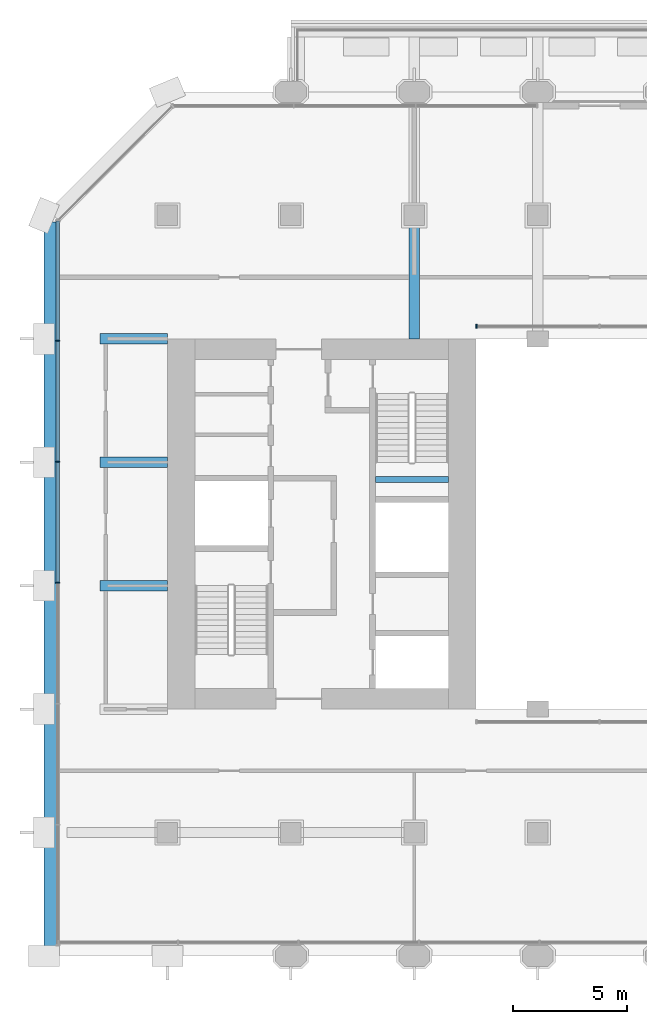
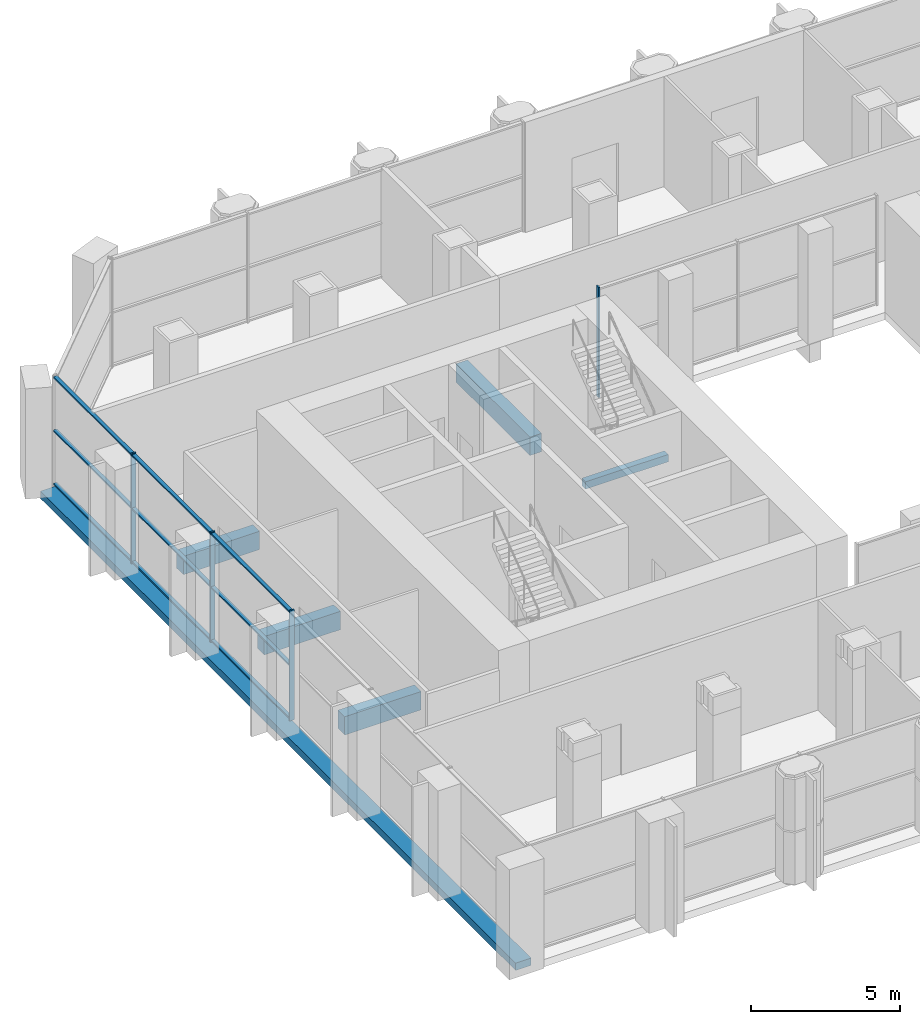
# One storey, part 4 of 15: 13 members, 6 beams, 2 elements without a shape of their own.
"""IFC4 building model written with IfcOpenShell, lengths in metres."""

from ifc_helpers import new_model, si_unit, direction, frame, origin, origin_2d, place, context, subcontext, project, spatial, rectangle, extrude, material, material_profile, profile_set, type_object, element, aggregate, save


model = new_model("IFC4")

# Units and contexts
model_context = context("Model", 3, precision=1e-05, world=origin(), true_north=direction((0.0, 1.0)))
body_context = subcontext(model_context, "Body", "Model", "MODEL_VIEW")
ifc_project = project(units=[si_unit("LENGTHUNIT", "METRE"), si_unit("AREAUNIT", "SQUARE_METRE"), si_unit("VOLUMEUNIT", "CUBIC_METRE"), si_unit("PLANEANGLEUNIT", "RADIAN"), si_unit("MASSUNIT", "GRAM", prefix="KILO")], contexts=[model_context])

# Site, building, storey
site_placement = place(None, origin())
site = spatial("IfcSite", under=ifc_project, at=site_placement, CompositionType="ELEMENT")
building_placement = place(site_placement, origin())
building = spatial("IfcBuilding", under=site, at=building_placement, Name="Tabaq Tower and Sports Hall", CompositionType="ELEMENT")
storey_placement = place(building_placement, frame((0.0, 0.0, 138.39990234375)))
storey = spatial("IfcBuildingStorey", under=building, at=storey_placement, Name="L32", CompositionType="ELEMENT", Elevation=138.39990234375)

# Curtain wall, member
ifc_material_1 = material(Name="Aluminium alloy 6063-T6 framed glazing", Category="aluminium")
curtain_wall_type_1 = type_object("IfcCurtainWallType", Name="CW1 curtain wall", PredefinedType="USERDEFINED", material=ifc_material_1)
curtain_wall_1_placement = place(storey_placement, origin())
curtain_wall_1 = element("IfcCurtainWall", 1, at=curtain_wall_1_placement, inside=storey, type_object=curtain_wall_type_1, Name="Atrium glazing L32 N", ObjectType="ATRIUM ENCLOSURE", PredefinedType="USERDEFINED")
ifc_material_2 = material(Name="Aluminium alloy 6063-T6", Category="aluminium")
ifc_material_profile_1 = material_profile(ifc_material_2, rectangle(XDim=0.159912109375, YDim=0.06005859375, at=origin_2d()), Name="MULLION 160x60")
ifc_profile_set_1 = profile_set([ifc_material_profile_1], Name="Aluminium alloy 6063-T6")
member_type_1 = type_object("IfcMemberType", Name="CW1 mullion 160x60", PredefinedType="MULLION", material=ifc_profile_set_1)
member_1_placement = place(storey_placement, frame((18.929931640625, 32.949951171875, 0.0), z_axis=(0.0, 0.0, 1.0), x_axis=(0.0, 1.0, 0.0)))
member_1 = element("IfcMember", 2, at=member_1_placement, type_object=member_type_1, Name="CW1 mullion 1", PredefinedType="MULLION", context=body_context, shape_type="SweptSolid", body=[
    extrude(rectangle(XDim=0.159912109375, YDim=0.06005859375, at=origin_2d()), origin(), (0.0, 0.0, 1.0), 4.5),
])
aggregate(curtain_wall_1, [member_1])

# Curtain wall, members
ifc_material_3 = material(Name="Aluminium alloy 6063-T6 framed glazing", Category="aluminium")
curtain_wall_type_2 = type_object("IfcCurtainWallType", Name="CW3 curtain wall", PredefinedType="USERDEFINED", material=ifc_material_3)
curtain_wall_2_placement = place(storey_placement, origin())
curtain_wall_2 = element("IfcCurtainWall", 3, at=curtain_wall_2_placement, inside=storey, type_object=curtain_wall_type_2, Name="Garden Floor Wall L32 W", ObjectType="GARDEN FLOOR WALL", PredefinedType="USERDEFINED")
ifc_material_4 = material(Name="Aluminium alloy 6063-T6", Category="aluminium")
ifc_material_profile_2 = material_profile(ifc_material_4, rectangle(XDim=0.179931640625, YDim=0.06005859375, at=origin_2d()), Name="MULLION 180x60")
ifc_profile_set_2 = profile_set([ifc_material_profile_2], Name="Aluminium alloy 6063-T6")
member_type_2 = type_object("IfcMemberType", Name="CW3 mullion 180x60", PredefinedType="MULLION", material=ifc_profile_set_2)
member_2_placement = place(storey_placement, frame((0.60009765625, 32.319580078125, 0.0), z_axis=(0.0, 0.0, 1.0), x_axis=(1.0, 0.0, 0.0)))
member_2 = element("IfcMember", 4, at=member_2_placement, type_object=member_type_2, Name="CW3 mullion 2", PredefinedType="MULLION", context=body_context, shape_type="SweptSolid", body=[
    extrude(rectangle(XDim=0.179931640625, YDim=0.06005859375, at=origin_2d()), origin(), (0.0, 0.0, 1.0), 4.5),
])
member_3_placement = place(storey_placement, frame((0.60009765625, 27.025634765625, 0.0), z_axis=(0.0, 0.0, 1.0), x_axis=(1.0, 0.0, 0.0)))
member_3 = element("IfcMember", 5, at=member_3_placement, type_object=member_type_2, Name="CW3 mullion 3", PredefinedType="MULLION", context=body_context, shape_type="SweptSolid", body=[
    extrude(rectangle(XDim=0.179931640625, YDim=0.06005859375, at=origin_2d()), origin(), (0.0, 0.0, 1.0), 4.5),
])
member_4_placement = place(storey_placement, frame((0.60009765625, 21.731689453125, 0.0), z_axis=(0.0, 0.0, 1.0), x_axis=(1.0, 0.0, 0.0)))
member_4 = element("IfcMember", 6, at=member_4_placement, type_object=member_type_2, Name="CW3 mullion 4", PredefinedType="MULLION", context=body_context, shape_type="SweptSolid", body=[
    extrude(rectangle(XDim=0.179931640625, YDim=0.06005859375, at=origin_2d()), origin(), (0.0, 0.0, 1.0), 4.5),
])
ifc_material_5 = material(Name="Aluminium alloy 6063-T6", Category="aluminium")
ifc_material_profile_3 = material_profile(ifc_material_5, rectangle(XDim=0.139892578125, YDim=0.06005859375, at=origin_2d()), Name="TRANSOM 140x60")
ifc_profile_set_3 = profile_set([ifc_material_profile_3], Name="Aluminium alloy 6063-T6")
member_type_3 = type_object("IfcMemberType", Name="CW3 transom 140x60", PredefinedType="USERDEFINED", material=ifc_profile_set_3)
member_5_placement = place(storey_placement, frame((0.60009765625, 37.5537109375, 0.070068359375), z_axis=(0.0, -1.0, 0.0), x_axis=(1.0, 0.0, 0.0)))
member_5 = element("IfcMember", 7, at=member_5_placement, type_object=member_type_3, Name="CW3 transom 1.1", ObjectType="TRANSOM", PredefinedType="USERDEFINED", context=body_context, shape_type="SweptSolid", body=[
    extrude(rectangle(XDim=0.139892578125, YDim=0.06005859375, at=origin_2d()), origin(), (0.0, 0.0, 1.0), 5.2041015625),
])
member_6_placement = place(storey_placement, frame((0.60009765625, 37.5537109375, 2.25), z_axis=(0.0, -1.0, 0.0), x_axis=(1.0, 0.0, 0.0)))
member_6 = element("IfcMember", 8, at=member_6_placement, type_object=member_type_3, Name="CW3 transom 1.2", ObjectType="TRANSOM", PredefinedType="USERDEFINED", context=body_context, shape_type="SweptSolid", body=[
    extrude(rectangle(XDim=0.139892578125, YDim=0.06005859375, at=origin_2d()), origin(), (0.0, 0.0, 1.0), 5.2041015625),
])
member_7_placement = place(storey_placement, frame((0.60009765625, 37.5537109375, 4.43017578125), z_axis=(0.0, -1.0, 0.0), x_axis=(1.0, 0.0, 0.0)))
member_7 = element("IfcMember", 9, at=member_7_placement, type_object=member_type_3, Name="CW3 transom 1.3", ObjectType="TRANSOM", PredefinedType="USERDEFINED", context=body_context, shape_type="SweptSolid", body=[
    extrude(rectangle(XDim=0.139892578125, YDim=0.06005859375, at=origin_2d()), origin(), (0.0, 0.0, 1.0), 5.2041015625),
])
member_8_placement = place(storey_placement, frame((0.60009765625, 32.28955078125, 0.070068359375), z_axis=(0.0, -1.0, 0.0), x_axis=(1.0, 0.0, 0.0)))
member_8 = element("IfcMember", 10, at=member_8_placement, type_object=member_type_3, Name="CW3 transom 2.1", ObjectType="TRANSOM", PredefinedType="USERDEFINED", context=body_context, shape_type="SweptSolid", body=[
    extrude(rectangle(XDim=0.139892578125, YDim=0.06005859375, at=origin_2d()), origin(), (0.0, 0.0, 1.0), 5.23388671875),
])
member_9_placement = place(storey_placement, frame((0.60009765625, 32.28955078125, 2.25), z_axis=(0.0, -1.0, 0.0), x_axis=(1.0, 0.0, 0.0)))
member_9 = element("IfcMember", 11, at=member_9_placement, type_object=member_type_3, Name="CW3 transom 2.2", ObjectType="TRANSOM", PredefinedType="USERDEFINED", context=body_context, shape_type="SweptSolid", body=[
    extrude(rectangle(XDim=0.139892578125, YDim=0.06005859375, at=origin_2d()), origin(), (0.0, 0.0, 1.0), 5.23388671875),
])
member_10_placement = place(storey_placement, frame((0.60009765625, 32.28955078125, 4.43017578125), z_axis=(0.0, -1.0, 0.0), x_axis=(1.0, 0.0, 0.0)))
member_10 = element("IfcMember", 12, at=member_10_placement, type_object=member_type_3, Name="CW3 transom 2.3", ObjectType="TRANSOM", PredefinedType="USERDEFINED", context=body_context, shape_type="SweptSolid", body=[
    extrude(rectangle(XDim=0.139892578125, YDim=0.06005859375, at=origin_2d()), origin(), (0.0, 0.0, 1.0), 5.23388671875),
])
member_11_placement = place(storey_placement, frame((0.60009765625, 26.995849609375, 0.070068359375), z_axis=(0.0, -1.0, 0.0), x_axis=(1.0, 0.0, 0.0)))
member_11 = element("IfcMember", 13, at=member_11_placement, type_object=member_type_3, Name="CW3 transom 3.1", ObjectType="TRANSOM", PredefinedType="USERDEFINED", context=body_context, shape_type="SweptSolid", body=[
    extrude(rectangle(XDim=0.139892578125, YDim=0.06005859375, at=origin_2d()), origin(), (0.0, 0.0, 1.0), 5.234130859375),
])
member_12_placement = place(storey_placement, frame((0.60009765625, 26.995849609375, 2.25), z_axis=(0.0, -1.0, 0.0), x_axis=(1.0, 0.0, 0.0)))
member_12 = element("IfcMember", 14, at=member_12_placement, type_object=member_type_3, Name="CW3 transom 3.2", ObjectType="TRANSOM", PredefinedType="USERDEFINED", context=body_context, shape_type="SweptSolid", body=[
    extrude(rectangle(XDim=0.139892578125, YDim=0.06005859375, at=origin_2d()), origin(), (0.0, 0.0, 1.0), 5.234130859375),
])
member_13_placement = place(storey_placement, frame((0.60009765625, 26.995849609375, 4.43017578125), z_axis=(0.0, -1.0, 0.0), x_axis=(1.0, 0.0, 0.0)))
member_13 = element("IfcMember", 15, at=member_13_placement, type_object=member_type_3, Name="CW3 transom 3.3", ObjectType="TRANSOM", PredefinedType="USERDEFINED", context=body_context, shape_type="SweptSolid", body=[
    extrude(rectangle(XDim=0.139892578125, YDim=0.06005859375, at=origin_2d()), origin(), (0.0, 0.0, 1.0), 5.234130859375),
])
aggregate(curtain_wall_2, [member_2, member_3, member_4, member_5, member_6, member_7, member_8, member_9, member_10, member_11, member_12, member_13])

# Beams
ifc_material_6 = material(Name="Concrete C40/50", Category="concrete")
ifc_material_profile_4 = material_profile(ifc_material_6, rectangle(XDim=0.449951171875, YDim=0.75, at=origin_2d()), Name="CB 450x750")
ifc_profile_set_4 = profile_set([ifc_material_profile_4], Name="Concrete C40/50")
beam_type_1 = type_object("IfcBeamType", Name="PT CANTILEVER BEAM CB 450x750 C40/50", PredefinedType="BEAM", material=ifc_profile_set_4)
for number, where, z_axis, x_axis, name in (
    (16, (2.449951171875, 21.60009765625, -0.6748046875), (1.0, 0.0, 0.0), (0.0, 1.0, 0.0), "Cantilever Beam L32 W4 span 1"),
    (17, (2.449951171875, 27.0, -0.6748046875), (1.0, 0.0, 0.0), (0.0, 1.0, 0.0), "Cantilever Beam L32 W5 span 1"),
    (18, (2.449951171875, 32.39990234375, -0.6748046875), (1.0, 0.0, 0.0), (0.0, 1.0, 0.0), "Cantilever Beam L32 W6 span 1"),
):
    element("IfcBeam", number, at=place(storey_placement, frame(where, z_axis=z_axis, x_axis=x_axis)), inside=storey, type_object=beam_type_1, Name=name, PredefinedType="BEAM", context=body_context, shape_type="SweptSolid", body=[
        extrude(rectangle(XDim=0.449951171875, YDim=0.75, at=origin_2d()), origin(), (0.0, 0.0, 1.0), 2.949951171875),
    ])
beam_1_placement = place(storey_placement, frame((16.199951171875, 37.35009765625, -0.6748046875), z_axis=(0.0, -1.0, 0.0), x_axis=(1.0, 0.0, 0.0)))
element("IfcBeam", 19, at=beam_1_placement, inside=storey, type_object=beam_type_1, Name="Tray Cantilever Beam L32 T3 span 3", PredefinedType="BEAM", context=body_context, shape_type="SweptSolid", body=[
    extrude(rectangle(XDim=0.449951171875, YDim=0.75, at=origin_2d()), origin(), (0.0, 0.0, 1.0), 4.9501953125),
])
ifc_material_7 = material(Name="Concrete C40/50", Category="concrete")
ifc_material_profile_5 = material_profile(ifc_material_7, rectangle(XDim=0.60009765625, YDim=0.300048828125, at=origin_2d()), Name="EB 600x300")
ifc_profile_set_5 = profile_set([ifc_material_profile_5], Name="Concrete C40/50")
beam_type_2 = type_object("IfcBeamType", Name="PT EDGE BEAM EB 600x300 C40/50", PredefinedType="SPANDREL", material=ifc_profile_set_5)
beam_2_placement = place(storey_placement, frame((0.300048828125, 37.50146484375, -0.14990234375), z_axis=(0.0, -1.0, 0.0), x_axis=(1.0, 0.0, 0.0)))
element("IfcBeam", 20, at=beam_2_placement, inside=storey, type_object=beam_type_2, Name="Edge Beam L32 1", PredefinedType="SPANDREL", context=body_context, shape_type="SweptSolid", body=[
    extrude(rectangle(XDim=0.60009765625, YDim=0.300048828125, at=origin_2d()), origin(), (0.0, 0.0, 1.0), 31.8115234375),
])
ifc_material_8 = material(Name="Concrete C40/50", Category="concrete")
ifc_material_profile_6 = material_profile(ifc_material_8, rectangle(XDim=0.25, YDim=0.300048828125, at=origin_2d()), Name="RC 250x300")
ifc_profile_set_6 = profile_set([ifc_material_profile_6], Name="Concrete C40/50")
beam_type_3 = type_object("IfcBeamType", Name="Stair landing beam 250x300", PredefinedType="BEAM", material=ifc_profile_set_6)
beam_3_placement = place(storey_placement, frame((14.5, 26.25, 2.050048828125), z_axis=(1.0, 0.0, 0.0), x_axis=(0.0, 1.0, 0.0)))
element("IfcBeam", 21, at=beam_3_placement, inside=storey, type_object=beam_type_3, Name="L32 ST2 landing beam 1", PredefinedType="BEAM", context=body_context, shape_type="SweptSolid", body=[
    extrude(rectangle(XDim=0.25, YDim=0.300048828125, at=origin_2d()), origin(), (0.0, 0.0, 1.0), 3.199951171875),
])

save(model, "model.ifc")
